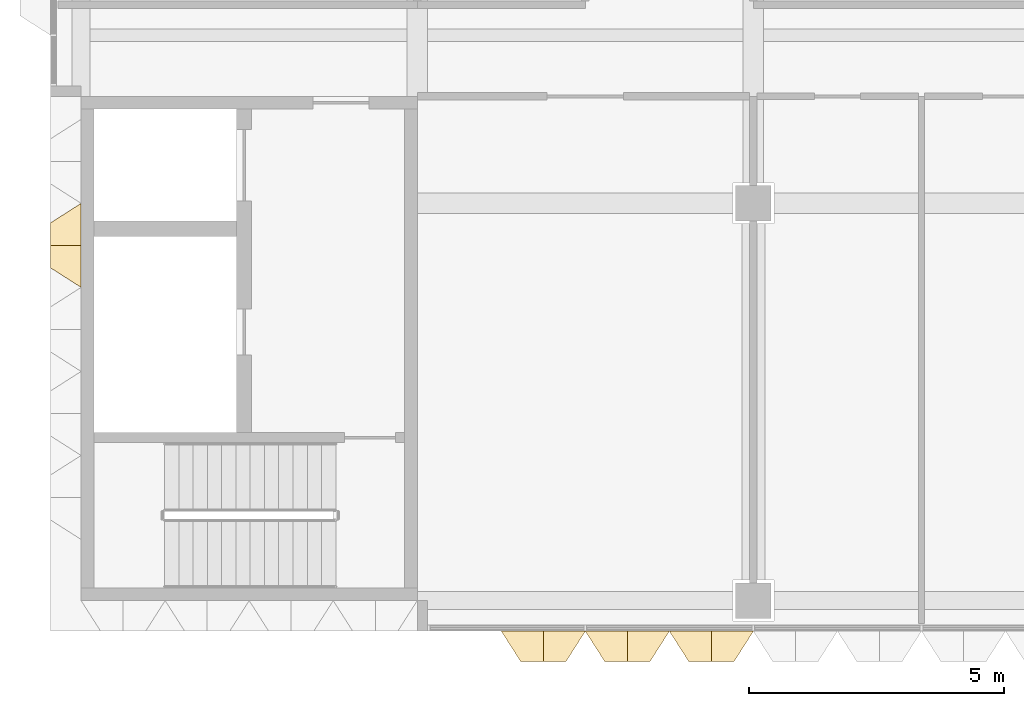
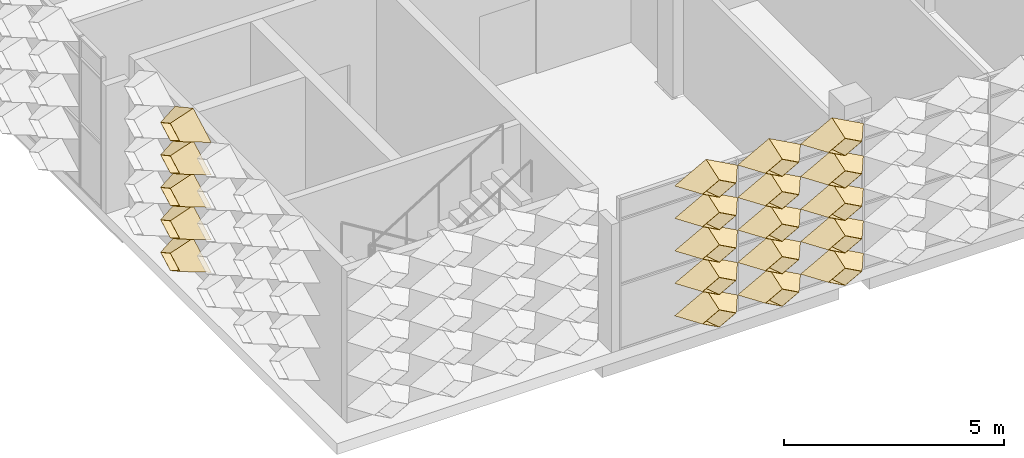
# One storey, part 14 of 29: 20 coverings.
"""IFC4 building model written with IfcOpenShell, lengths in metres."""

from ifc_helpers import new_model, entity, si_unit, direction, frame, origin, place, context, subcontext, project, spatial, material, layer, layer_set, type_object, element, save


model = new_model("IFC4")

# Units and contexts
model_context = context("Model", 3, precision=1e-05, world=origin(), true_north=direction((0.0, 1.0)))
body_context = subcontext(model_context, "Body", "Model", "MODEL_VIEW")
ifc_project = project(units=[si_unit("LENGTHUNIT", "METRE"), si_unit("AREAUNIT", "SQUARE_METRE"), si_unit("VOLUMEUNIT", "CUBIC_METRE"), si_unit("PLANEANGLEUNIT", "RADIAN"), si_unit("MASSUNIT", "GRAM", prefix="KILO")], contexts=[model_context])

# Site, building, storey
site_placement = place(None, origin())
site = spatial("IfcSite", under=ifc_project, at=site_placement, CompositionType="ELEMENT")
building_placement = place(site_placement, origin())
building = spatial("IfcBuilding", under=site, at=building_placement, Name="Lantern Court Research Institute", CompositionType="ELEMENT")
storey_placement = place(building_placement, frame((0.0, 0.0, 32.39990234375)))
storey = spatial("IfcBuildingStorey", under=building, at=storey_placement, Name="L07", CompositionType="ELEMENT", Elevation=32.39990234375)

# Coverings
ifc_material = material(Name="Anodised aluminium", Category="aluminium")
ifc_layer = layer(ifc_material, 0.01611328125)
ifc_layer_set = layer_set([ifc_layer], Name="Anodised aluminium")
covering_type = type_object("IfcCoveringType", Name="Fin cassette 1650 x 900 x 600 aluminium", PredefinedType="CLADDING", material=ifc_layer_set)
covering_1_placement = place(storey_placement, frame((61.875, -8.39990234375, 0.4501953125), z_axis=(0.0, -1.0, 0.0), x_axis=(1.0, 0.0, 0.0)))
cartesian_point_1 = entity("IfcCartesianPoint", [0.824951171875, 0.0])
cartesian_point_2 = entity("IfcCartesianPoint", [0.79150390625, 0.0])
cartesian_point_3 = entity("IfcCartesianPoint", [0.44189453125, 0.0])
cartesian_point_4 = entity("IfcCartesianPoint", [0.43359375, 0.0])
element("IfcCovering", 1, at=covering_1_placement, inside=storey, type_object=covering_type, Name="Fin cassette V5S-L07 1.38", PredefinedType="CLADDING", context=body_context, shape_type="SweptSolid", body=[
    entity("IfcExtrudedAreaSolidTapered", entity("IfcArbitraryProfileDefWithVoids", "AREA", None, entity("IfcPolyline", [cartesian_point_1, entity("IfcCartesianPoint", [0.0, 0.449951171875]), entity("IfcCartesianPoint", [-0.824951171875, 0.0]), entity("IfcCartesianPoint", [0.0, -0.449951171875]), cartesian_point_1]), [entity("IfcPolyline", [cartesian_point_2, entity("IfcCartesianPoint", [0.0, 0.431884765625]), entity("IfcCartesianPoint", [-0.79150390625, 0.0]), entity("IfcCartesianPoint", [0.0, -0.431884765625]), cartesian_point_2])]), entity("IfcAxis2Placement3D", entity("IfcCartesianPoint", [0.0, 0.0, 0.0])), entity("IfcDirection", [0.0, 0.0, 1.0]), 0.60009765625, entity("IfcArbitraryProfileDefWithVoids", "AREA", None, entity("IfcPolyline", [cartesian_point_3, entity("IfcCartesianPoint", [0.0, 0.240966796875]), entity("IfcCartesianPoint", [-0.44189453125, 0.0]), entity("IfcCartesianPoint", [0.0, -0.240966796875]), cartesian_point_3]), [entity("IfcPolyline", [cartesian_point_4, entity("IfcCartesianPoint", [0.0, 0.236572265625]), entity("IfcCartesianPoint", [-0.43359375, 0.0]), entity("IfcCartesianPoint", [0.0, -0.236572265625]), cartesian_point_4])])),
])
covering_2_placement = place(storey_placement, frame((63.52490234375, -8.39990234375, 0.4501953125), z_axis=(0.0, -1.0, 0.0), x_axis=(1.0, 0.0, 0.0)))
cartesian_point_5 = entity("IfcCartesianPoint", [0.824951171875, 0.0])
cartesian_point_6 = entity("IfcCartesianPoint", [0.79150390625, 0.0])
cartesian_point_7 = entity("IfcCartesianPoint", [0.44189453125, 0.0])
cartesian_point_8 = entity("IfcCartesianPoint", [0.43359375, 0.0])
element("IfcCovering", 2, at=covering_2_placement, inside=storey, type_object=covering_type, Name="Fin cassette V5S-L07 1.39", PredefinedType="CLADDING", context=body_context, shape_type="SweptSolid", body=[
    entity("IfcExtrudedAreaSolidTapered", entity("IfcArbitraryProfileDefWithVoids", "AREA", None, entity("IfcPolyline", [cartesian_point_5, entity("IfcCartesianPoint", [0.0, 0.449951171875]), entity("IfcCartesianPoint", [-0.824951171875, 0.0]), entity("IfcCartesianPoint", [0.0, -0.449951171875]), cartesian_point_5]), [entity("IfcPolyline", [cartesian_point_6, entity("IfcCartesianPoint", [0.0, 0.431884765625]), entity("IfcCartesianPoint", [-0.79150390625, 0.0]), entity("IfcCartesianPoint", [0.0, -0.431884765625]), cartesian_point_6])]), entity("IfcAxis2Placement3D", entity("IfcCartesianPoint", [0.0, 0.0, 0.0])), entity("IfcDirection", [0.0, 0.0, 1.0]), 0.60009765625, entity("IfcArbitraryProfileDefWithVoids", "AREA", None, entity("IfcPolyline", [cartesian_point_7, entity("IfcCartesianPoint", [0.0, 0.240966796875]), entity("IfcCartesianPoint", [-0.44189453125, 0.0]), entity("IfcCartesianPoint", [0.0, -0.240966796875]), cartesian_point_7]), [entity("IfcPolyline", [cartesian_point_8, entity("IfcCartesianPoint", [0.0, 0.236572265625]), entity("IfcCartesianPoint", [-0.43359375, 0.0]), entity("IfcCartesianPoint", [0.0, -0.236572265625]), cartesian_point_8])])),
])
covering_3_placement = place(storey_placement, frame((65.175048828125, -8.39990234375, 0.4501953125), z_axis=(0.0, -1.0, 0.0), x_axis=(1.0, 0.0, 0.0)))
cartesian_point_9 = entity("IfcCartesianPoint", [0.824951171875, 0.0])
cartesian_point_10 = entity("IfcCartesianPoint", [0.79150390625, 0.0])
cartesian_point_11 = entity("IfcCartesianPoint", [0.44189453125, 0.0])
cartesian_point_12 = entity("IfcCartesianPoint", [0.43359375, 0.0])
element("IfcCovering", 3, at=covering_3_placement, inside=storey, type_object=covering_type, Name="Fin cassette V5S-L07 1.40", PredefinedType="CLADDING", context=body_context, shape_type="SweptSolid", body=[
    entity("IfcExtrudedAreaSolidTapered", entity("IfcArbitraryProfileDefWithVoids", "AREA", None, entity("IfcPolyline", [cartesian_point_9, entity("IfcCartesianPoint", [0.0, 0.449951171875]), entity("IfcCartesianPoint", [-0.824951171875, 0.0]), entity("IfcCartesianPoint", [0.0, -0.449951171875]), cartesian_point_9]), [entity("IfcPolyline", [cartesian_point_10, entity("IfcCartesianPoint", [0.0, 0.431884765625]), entity("IfcCartesianPoint", [-0.79150390625, 0.0]), entity("IfcCartesianPoint", [0.0, -0.431884765625]), cartesian_point_10])]), entity("IfcAxis2Placement3D", entity("IfcCartesianPoint", [0.0, 0.0, 0.0])), entity("IfcDirection", [0.0, 0.0, 1.0]), 0.60009765625, entity("IfcArbitraryProfileDefWithVoids", "AREA", None, entity("IfcPolyline", [cartesian_point_11, entity("IfcCartesianPoint", [0.0, 0.240966796875]), entity("IfcCartesianPoint", [-0.44189453125, 0.0]), entity("IfcCartesianPoint", [0.0, -0.240966796875]), cartesian_point_11]), [entity("IfcPolyline", [cartesian_point_12, entity("IfcCartesianPoint", [0.0, 0.236572265625]), entity("IfcCartesianPoint", [-0.43359375, 0.0]), entity("IfcCartesianPoint", [0.0, -0.236572265625]), cartesian_point_12])])),
])
covering_4_placement = place(storey_placement, frame((61.875, -8.39990234375, 1.35009765625), z_axis=(0.0, -1.0, 0.0), x_axis=(1.0, 0.0, 0.0)))
cartesian_point_13 = entity("IfcCartesianPoint", [0.824951171875, 0.0])
cartesian_point_14 = entity("IfcCartesianPoint", [0.79150390625, 0.0])
cartesian_point_15 = entity("IfcCartesianPoint", [0.44189453125, 0.0])
cartesian_point_16 = entity("IfcCartesianPoint", [0.43359375, 0.0])
element("IfcCovering", 4, at=covering_4_placement, inside=storey, type_object=covering_type, Name="Fin cassette V5S-L07 2.38", PredefinedType="CLADDING", context=body_context, shape_type="SweptSolid", body=[
    entity("IfcExtrudedAreaSolidTapered", entity("IfcArbitraryProfileDefWithVoids", "AREA", None, entity("IfcPolyline", [cartesian_point_13, entity("IfcCartesianPoint", [0.0, 0.449951171875]), entity("IfcCartesianPoint", [-0.824951171875, 0.0]), entity("IfcCartesianPoint", [0.0, -0.449951171875]), cartesian_point_13]), [entity("IfcPolyline", [cartesian_point_14, entity("IfcCartesianPoint", [0.0, 0.431884765625]), entity("IfcCartesianPoint", [-0.79150390625, 0.0]), entity("IfcCartesianPoint", [0.0, -0.431884765625]), cartesian_point_14])]), entity("IfcAxis2Placement3D", entity("IfcCartesianPoint", [0.0, 0.0, 0.0])), entity("IfcDirection", [0.0, 0.0, 1.0]), 0.60009765625, entity("IfcArbitraryProfileDefWithVoids", "AREA", None, entity("IfcPolyline", [cartesian_point_15, entity("IfcCartesianPoint", [0.0, 0.240966796875]), entity("IfcCartesianPoint", [-0.44189453125, 0.0]), entity("IfcCartesianPoint", [0.0, -0.240966796875]), cartesian_point_15]), [entity("IfcPolyline", [cartesian_point_16, entity("IfcCartesianPoint", [0.0, 0.236572265625]), entity("IfcCartesianPoint", [-0.43359375, 0.0]), entity("IfcCartesianPoint", [0.0, -0.236572265625]), cartesian_point_16])])),
])
covering_5_placement = place(storey_placement, frame((63.52490234375, -8.39990234375, 1.35009765625), z_axis=(0.0, -1.0, 0.0), x_axis=(1.0, 0.0, 0.0)))
cartesian_point_17 = entity("IfcCartesianPoint", [0.824951171875, 0.0])
cartesian_point_18 = entity("IfcCartesianPoint", [0.79150390625, 0.0])
cartesian_point_19 = entity("IfcCartesianPoint", [0.44189453125, 0.0])
cartesian_point_20 = entity("IfcCartesianPoint", [0.43359375, 0.0])
element("IfcCovering", 5, at=covering_5_placement, inside=storey, type_object=covering_type, Name="Fin cassette V5S-L07 2.39", PredefinedType="CLADDING", context=body_context, shape_type="SweptSolid", body=[
    entity("IfcExtrudedAreaSolidTapered", entity("IfcArbitraryProfileDefWithVoids", "AREA", None, entity("IfcPolyline", [cartesian_point_17, entity("IfcCartesianPoint", [0.0, 0.449951171875]), entity("IfcCartesianPoint", [-0.824951171875, 0.0]), entity("IfcCartesianPoint", [0.0, -0.449951171875]), cartesian_point_17]), [entity("IfcPolyline", [cartesian_point_18, entity("IfcCartesianPoint", [0.0, 0.431884765625]), entity("IfcCartesianPoint", [-0.79150390625, 0.0]), entity("IfcCartesianPoint", [0.0, -0.431884765625]), cartesian_point_18])]), entity("IfcAxis2Placement3D", entity("IfcCartesianPoint", [0.0, 0.0, 0.0])), entity("IfcDirection", [0.0, 0.0, 1.0]), 0.60009765625, entity("IfcArbitraryProfileDefWithVoids", "AREA", None, entity("IfcPolyline", [cartesian_point_19, entity("IfcCartesianPoint", [0.0, 0.240966796875]), entity("IfcCartesianPoint", [-0.44189453125, 0.0]), entity("IfcCartesianPoint", [0.0, -0.240966796875]), cartesian_point_19]), [entity("IfcPolyline", [cartesian_point_20, entity("IfcCartesianPoint", [0.0, 0.236572265625]), entity("IfcCartesianPoint", [-0.43359375, 0.0]), entity("IfcCartesianPoint", [0.0, -0.236572265625]), cartesian_point_20])])),
])
covering_6_placement = place(storey_placement, frame((65.175048828125, -8.39990234375, 1.35009765625), z_axis=(0.0, -1.0, 0.0), x_axis=(1.0, 0.0, 0.0)))
cartesian_point_21 = entity("IfcCartesianPoint", [0.824951171875, 0.0])
cartesian_point_22 = entity("IfcCartesianPoint", [0.79150390625, 0.0])
cartesian_point_23 = entity("IfcCartesianPoint", [0.44189453125, 0.0])
cartesian_point_24 = entity("IfcCartesianPoint", [0.43359375, 0.0])
element("IfcCovering", 6, at=covering_6_placement, inside=storey, type_object=covering_type, Name="Fin cassette V5S-L07 2.40", PredefinedType="CLADDING", context=body_context, shape_type="SweptSolid", body=[
    entity("IfcExtrudedAreaSolidTapered", entity("IfcArbitraryProfileDefWithVoids", "AREA", None, entity("IfcPolyline", [cartesian_point_21, entity("IfcCartesianPoint", [0.0, 0.449951171875]), entity("IfcCartesianPoint", [-0.824951171875, 0.0]), entity("IfcCartesianPoint", [0.0, -0.449951171875]), cartesian_point_21]), [entity("IfcPolyline", [cartesian_point_22, entity("IfcCartesianPoint", [0.0, 0.431884765625]), entity("IfcCartesianPoint", [-0.79150390625, 0.0]), entity("IfcCartesianPoint", [0.0, -0.431884765625]), cartesian_point_22])]), entity("IfcAxis2Placement3D", entity("IfcCartesianPoint", [0.0, 0.0, 0.0])), entity("IfcDirection", [0.0, 0.0, 1.0]), 0.60009765625, entity("IfcArbitraryProfileDefWithVoids", "AREA", None, entity("IfcPolyline", [cartesian_point_23, entity("IfcCartesianPoint", [0.0, 0.240966796875]), entity("IfcCartesianPoint", [-0.44189453125, 0.0]), entity("IfcCartesianPoint", [0.0, -0.240966796875]), cartesian_point_23]), [entity("IfcPolyline", [cartesian_point_24, entity("IfcCartesianPoint", [0.0, 0.236572265625]), entity("IfcCartesianPoint", [-0.43359375, 0.0]), entity("IfcCartesianPoint", [0.0, -0.236572265625]), cartesian_point_24])])),
])
covering_7_placement = place(storey_placement, frame((61.875, -8.39990234375, 2.25), z_axis=(0.0, -1.0, 0.0), x_axis=(1.0, 0.0, 0.0)))
cartesian_point_25 = entity("IfcCartesianPoint", [0.824951171875, 0.0])
cartesian_point_26 = entity("IfcCartesianPoint", [0.79150390625, 0.0])
cartesian_point_27 = entity("IfcCartesianPoint", [0.44189453125, 0.0])
cartesian_point_28 = entity("IfcCartesianPoint", [0.43359375, 0.0])
element("IfcCovering", 7, at=covering_7_placement, inside=storey, type_object=covering_type, Name="Fin cassette V5S-L07 3.38", PredefinedType="CLADDING", context=body_context, shape_type="SweptSolid", body=[
    entity("IfcExtrudedAreaSolidTapered", entity("IfcArbitraryProfileDefWithVoids", "AREA", None, entity("IfcPolyline", [cartesian_point_25, entity("IfcCartesianPoint", [0.0, 0.449951171875]), entity("IfcCartesianPoint", [-0.824951171875, 0.0]), entity("IfcCartesianPoint", [0.0, -0.449951171875]), cartesian_point_25]), [entity("IfcPolyline", [cartesian_point_26, entity("IfcCartesianPoint", [0.0, 0.431884765625]), entity("IfcCartesianPoint", [-0.79150390625, 0.0]), entity("IfcCartesianPoint", [0.0, -0.431884765625]), cartesian_point_26])]), entity("IfcAxis2Placement3D", entity("IfcCartesianPoint", [0.0, 0.0, 0.0])), entity("IfcDirection", [0.0, 0.0, 1.0]), 0.60009765625, entity("IfcArbitraryProfileDefWithVoids", "AREA", None, entity("IfcPolyline", [cartesian_point_27, entity("IfcCartesianPoint", [0.0, 0.240966796875]), entity("IfcCartesianPoint", [-0.44189453125, 0.0]), entity("IfcCartesianPoint", [0.0, -0.240966796875]), cartesian_point_27]), [entity("IfcPolyline", [cartesian_point_28, entity("IfcCartesianPoint", [0.0, 0.236572265625]), entity("IfcCartesianPoint", [-0.43359375, 0.0]), entity("IfcCartesianPoint", [0.0, -0.236572265625]), cartesian_point_28])])),
])
covering_8_placement = place(storey_placement, frame((63.52490234375, -8.39990234375, 2.25), z_axis=(0.0, -1.0, 0.0), x_axis=(1.0, 0.0, 0.0)))
cartesian_point_29 = entity("IfcCartesianPoint", [0.824951171875, 0.0])
cartesian_point_30 = entity("IfcCartesianPoint", [0.79150390625, 0.0])
cartesian_point_31 = entity("IfcCartesianPoint", [0.44189453125, 0.0])
cartesian_point_32 = entity("IfcCartesianPoint", [0.43359375, 0.0])
element("IfcCovering", 8, at=covering_8_placement, inside=storey, type_object=covering_type, Name="Fin cassette V5S-L07 3.39", PredefinedType="CLADDING", context=body_context, shape_type="SweptSolid", body=[
    entity("IfcExtrudedAreaSolidTapered", entity("IfcArbitraryProfileDefWithVoids", "AREA", None, entity("IfcPolyline", [cartesian_point_29, entity("IfcCartesianPoint", [0.0, 0.449951171875]), entity("IfcCartesianPoint", [-0.824951171875, 0.0]), entity("IfcCartesianPoint", [0.0, -0.449951171875]), cartesian_point_29]), [entity("IfcPolyline", [cartesian_point_30, entity("IfcCartesianPoint", [0.0, 0.431884765625]), entity("IfcCartesianPoint", [-0.79150390625, 0.0]), entity("IfcCartesianPoint", [0.0, -0.431884765625]), cartesian_point_30])]), entity("IfcAxis2Placement3D", entity("IfcCartesianPoint", [0.0, 0.0, 0.0])), entity("IfcDirection", [0.0, 0.0, 1.0]), 0.60009765625, entity("IfcArbitraryProfileDefWithVoids", "AREA", None, entity("IfcPolyline", [cartesian_point_31, entity("IfcCartesianPoint", [0.0, 0.240966796875]), entity("IfcCartesianPoint", [-0.44189453125, 0.0]), entity("IfcCartesianPoint", [0.0, -0.240966796875]), cartesian_point_31]), [entity("IfcPolyline", [cartesian_point_32, entity("IfcCartesianPoint", [0.0, 0.236572265625]), entity("IfcCartesianPoint", [-0.43359375, 0.0]), entity("IfcCartesianPoint", [0.0, -0.236572265625]), cartesian_point_32])])),
])
covering_9_placement = place(storey_placement, frame((65.175048828125, -8.39990234375, 2.25), z_axis=(0.0, -1.0, 0.0), x_axis=(1.0, 0.0, 0.0)))
cartesian_point_33 = entity("IfcCartesianPoint", [0.824951171875, 0.0])
cartesian_point_34 = entity("IfcCartesianPoint", [0.79150390625, 0.0])
cartesian_point_35 = entity("IfcCartesianPoint", [0.44189453125, 0.0])
cartesian_point_36 = entity("IfcCartesianPoint", [0.43359375, 0.0])
element("IfcCovering", 9, at=covering_9_placement, inside=storey, type_object=covering_type, Name="Fin cassette V5S-L07 3.40", PredefinedType="CLADDING", context=body_context, shape_type="SweptSolid", body=[
    entity("IfcExtrudedAreaSolidTapered", entity("IfcArbitraryProfileDefWithVoids", "AREA", None, entity("IfcPolyline", [cartesian_point_33, entity("IfcCartesianPoint", [0.0, 0.449951171875]), entity("IfcCartesianPoint", [-0.824951171875, 0.0]), entity("IfcCartesianPoint", [0.0, -0.449951171875]), cartesian_point_33]), [entity("IfcPolyline", [cartesian_point_34, entity("IfcCartesianPoint", [0.0, 0.431884765625]), entity("IfcCartesianPoint", [-0.79150390625, 0.0]), entity("IfcCartesianPoint", [0.0, -0.431884765625]), cartesian_point_34])]), entity("IfcAxis2Placement3D", entity("IfcCartesianPoint", [0.0, 0.0, 0.0])), entity("IfcDirection", [0.0, 0.0, 1.0]), 0.60009765625, entity("IfcArbitraryProfileDefWithVoids", "AREA", None, entity("IfcPolyline", [cartesian_point_35, entity("IfcCartesianPoint", [0.0, 0.240966796875]), entity("IfcCartesianPoint", [-0.44189453125, 0.0]), entity("IfcCartesianPoint", [0.0, -0.240966796875]), cartesian_point_35]), [entity("IfcPolyline", [cartesian_point_36, entity("IfcCartesianPoint", [0.0, 0.236572265625]), entity("IfcCartesianPoint", [-0.43359375, 0.0]), entity("IfcCartesianPoint", [0.0, -0.236572265625]), cartesian_point_36])])),
])
covering_10_placement = place(storey_placement, frame((61.875, -8.39990234375, 3.150146484375), z_axis=(0.0, -1.0, 0.0), x_axis=(1.0, 0.0, 0.0)))
cartesian_point_37 = entity("IfcCartesianPoint", [0.824951171875, 0.0])
cartesian_point_38 = entity("IfcCartesianPoint", [0.79150390625, 0.0])
cartesian_point_39 = entity("IfcCartesianPoint", [0.44189453125, 0.0])
cartesian_point_40 = entity("IfcCartesianPoint", [0.43359375, 0.0])
element("IfcCovering", 10, at=covering_10_placement, inside=storey, type_object=covering_type, Name="Fin cassette V5S-L07 4.38", PredefinedType="CLADDING", context=body_context, shape_type="SweptSolid", body=[
    entity("IfcExtrudedAreaSolidTapered", entity("IfcArbitraryProfileDefWithVoids", "AREA", None, entity("IfcPolyline", [cartesian_point_37, entity("IfcCartesianPoint", [0.0, 0.449951171875]), entity("IfcCartesianPoint", [-0.824951171875, 0.0]), entity("IfcCartesianPoint", [0.0, -0.449951171875]), cartesian_point_37]), [entity("IfcPolyline", [cartesian_point_38, entity("IfcCartesianPoint", [0.0, 0.431884765625]), entity("IfcCartesianPoint", [-0.79150390625, 0.0]), entity("IfcCartesianPoint", [0.0, -0.431884765625]), cartesian_point_38])]), entity("IfcAxis2Placement3D", entity("IfcCartesianPoint", [0.0, 0.0, 0.0])), entity("IfcDirection", [0.0, 0.0, 1.0]), 0.60009765625, entity("IfcArbitraryProfileDefWithVoids", "AREA", None, entity("IfcPolyline", [cartesian_point_39, entity("IfcCartesianPoint", [0.0, 0.240966796875]), entity("IfcCartesianPoint", [-0.44189453125, 0.0]), entity("IfcCartesianPoint", [0.0, -0.240966796875]), cartesian_point_39]), [entity("IfcPolyline", [cartesian_point_40, entity("IfcCartesianPoint", [0.0, 0.236572265625]), entity("IfcCartesianPoint", [-0.43359375, 0.0]), entity("IfcCartesianPoint", [0.0, -0.236572265625]), cartesian_point_40])])),
])
covering_11_placement = place(storey_placement, frame((63.52490234375, -8.39990234375, 3.150146484375), z_axis=(0.0, -1.0, 0.0), x_axis=(1.0, 0.0, 0.0)))
cartesian_point_41 = entity("IfcCartesianPoint", [0.824951171875, 0.0])
cartesian_point_42 = entity("IfcCartesianPoint", [0.79150390625, 0.0])
cartesian_point_43 = entity("IfcCartesianPoint", [0.44189453125, 0.0])
cartesian_point_44 = entity("IfcCartesianPoint", [0.43359375, 0.0])
element("IfcCovering", 11, at=covering_11_placement, inside=storey, type_object=covering_type, Name="Fin cassette V5S-L07 4.39", PredefinedType="CLADDING", context=body_context, shape_type="SweptSolid", body=[
    entity("IfcExtrudedAreaSolidTapered", entity("IfcArbitraryProfileDefWithVoids", "AREA", None, entity("IfcPolyline", [cartesian_point_41, entity("IfcCartesianPoint", [0.0, 0.449951171875]), entity("IfcCartesianPoint", [-0.824951171875, 0.0]), entity("IfcCartesianPoint", [0.0, -0.449951171875]), cartesian_point_41]), [entity("IfcPolyline", [cartesian_point_42, entity("IfcCartesianPoint", [0.0, 0.431884765625]), entity("IfcCartesianPoint", [-0.79150390625, 0.0]), entity("IfcCartesianPoint", [0.0, -0.431884765625]), cartesian_point_42])]), entity("IfcAxis2Placement3D", entity("IfcCartesianPoint", [0.0, 0.0, 0.0])), entity("IfcDirection", [0.0, 0.0, 1.0]), 0.60009765625, entity("IfcArbitraryProfileDefWithVoids", "AREA", None, entity("IfcPolyline", [cartesian_point_43, entity("IfcCartesianPoint", [0.0, 0.240966796875]), entity("IfcCartesianPoint", [-0.44189453125, 0.0]), entity("IfcCartesianPoint", [0.0, -0.240966796875]), cartesian_point_43]), [entity("IfcPolyline", [cartesian_point_44, entity("IfcCartesianPoint", [0.0, 0.236572265625]), entity("IfcCartesianPoint", [-0.43359375, 0.0]), entity("IfcCartesianPoint", [0.0, -0.236572265625]), cartesian_point_44])])),
])
covering_12_placement = place(storey_placement, frame((65.175048828125, -8.39990234375, 3.150146484375), z_axis=(0.0, -1.0, 0.0), x_axis=(1.0, 0.0, 0.0)))
cartesian_point_45 = entity("IfcCartesianPoint", [0.824951171875, 0.0])
cartesian_point_46 = entity("IfcCartesianPoint", [0.79150390625, 0.0])
cartesian_point_47 = entity("IfcCartesianPoint", [0.44189453125, 0.0])
cartesian_point_48 = entity("IfcCartesianPoint", [0.43359375, 0.0])
element("IfcCovering", 12, at=covering_12_placement, inside=storey, type_object=covering_type, Name="Fin cassette V5S-L07 4.40", PredefinedType="CLADDING", context=body_context, shape_type="SweptSolid", body=[
    entity("IfcExtrudedAreaSolidTapered", entity("IfcArbitraryProfileDefWithVoids", "AREA", None, entity("IfcPolyline", [cartesian_point_45, entity("IfcCartesianPoint", [0.0, 0.449951171875]), entity("IfcCartesianPoint", [-0.824951171875, 0.0]), entity("IfcCartesianPoint", [0.0, -0.449951171875]), cartesian_point_45]), [entity("IfcPolyline", [cartesian_point_46, entity("IfcCartesianPoint", [0.0, 0.431884765625]), entity("IfcCartesianPoint", [-0.79150390625, 0.0]), entity("IfcCartesianPoint", [0.0, -0.431884765625]), cartesian_point_46])]), entity("IfcAxis2Placement3D", entity("IfcCartesianPoint", [0.0, 0.0, 0.0])), entity("IfcDirection", [0.0, 0.0, 1.0]), 0.60009765625, entity("IfcArbitraryProfileDefWithVoids", "AREA", None, entity("IfcPolyline", [cartesian_point_47, entity("IfcCartesianPoint", [0.0, 0.240966796875]), entity("IfcCartesianPoint", [-0.44189453125, 0.0]), entity("IfcCartesianPoint", [0.0, -0.240966796875]), cartesian_point_47]), [entity("IfcPolyline", [cartesian_point_48, entity("IfcCartesianPoint", [0.0, 0.236572265625]), entity("IfcCartesianPoint", [-0.43359375, 0.0]), entity("IfcCartesianPoint", [0.0, -0.236572265625]), cartesian_point_48])])),
])
covering_13_placement = place(storey_placement, frame((61.875, -8.39990234375, 4.050048828125), z_axis=(0.0, -1.0, 0.0), x_axis=(1.0, 0.0, 0.0)))
cartesian_point_49 = entity("IfcCartesianPoint", [0.824951171875, 0.0])
cartesian_point_50 = entity("IfcCartesianPoint", [0.79150390625, 0.0])
cartesian_point_51 = entity("IfcCartesianPoint", [0.44189453125, 0.0])
cartesian_point_52 = entity("IfcCartesianPoint", [0.43359375, 0.0])
element("IfcCovering", 13, at=covering_13_placement, inside=storey, type_object=covering_type, Name="Fin cassette V5S-L07 5.38", PredefinedType="CLADDING", context=body_context, shape_type="SweptSolid", body=[
    entity("IfcExtrudedAreaSolidTapered", entity("IfcArbitraryProfileDefWithVoids", "AREA", None, entity("IfcPolyline", [cartesian_point_49, entity("IfcCartesianPoint", [0.0, 0.449951171875]), entity("IfcCartesianPoint", [-0.824951171875, 0.0]), entity("IfcCartesianPoint", [0.0, -0.449951171875]), cartesian_point_49]), [entity("IfcPolyline", [cartesian_point_50, entity("IfcCartesianPoint", [0.0, 0.431884765625]), entity("IfcCartesianPoint", [-0.79150390625, 0.0]), entity("IfcCartesianPoint", [0.0, -0.431884765625]), cartesian_point_50])]), entity("IfcAxis2Placement3D", entity("IfcCartesianPoint", [0.0, 0.0, 0.0])), entity("IfcDirection", [0.0, 0.0, 1.0]), 0.60009765625, entity("IfcArbitraryProfileDefWithVoids", "AREA", None, entity("IfcPolyline", [cartesian_point_51, entity("IfcCartesianPoint", [0.0, 0.240966796875]), entity("IfcCartesianPoint", [-0.44189453125, 0.0]), entity("IfcCartesianPoint", [0.0, -0.240966796875]), cartesian_point_51]), [entity("IfcPolyline", [cartesian_point_52, entity("IfcCartesianPoint", [0.0, 0.236572265625]), entity("IfcCartesianPoint", [-0.43359375, 0.0]), entity("IfcCartesianPoint", [0.0, -0.236572265625]), cartesian_point_52])])),
])
covering_14_placement = place(storey_placement, frame((63.52490234375, -8.39990234375, 4.050048828125), z_axis=(0.0, -1.0, 0.0), x_axis=(1.0, 0.0, 0.0)))
cartesian_point_53 = entity("IfcCartesianPoint", [0.824951171875, 0.0])
cartesian_point_54 = entity("IfcCartesianPoint", [0.79150390625, 0.0])
cartesian_point_55 = entity("IfcCartesianPoint", [0.44189453125, 0.0])
cartesian_point_56 = entity("IfcCartesianPoint", [0.43359375, 0.0])
element("IfcCovering", 14, at=covering_14_placement, inside=storey, type_object=covering_type, Name="Fin cassette V5S-L07 5.39", PredefinedType="CLADDING", context=body_context, shape_type="SweptSolid", body=[
    entity("IfcExtrudedAreaSolidTapered", entity("IfcArbitraryProfileDefWithVoids", "AREA", None, entity("IfcPolyline", [cartesian_point_53, entity("IfcCartesianPoint", [0.0, 0.449951171875]), entity("IfcCartesianPoint", [-0.824951171875, 0.0]), entity("IfcCartesianPoint", [0.0, -0.449951171875]), cartesian_point_53]), [entity("IfcPolyline", [cartesian_point_54, entity("IfcCartesianPoint", [0.0, 0.431884765625]), entity("IfcCartesianPoint", [-0.79150390625, 0.0]), entity("IfcCartesianPoint", [0.0, -0.431884765625]), cartesian_point_54])]), entity("IfcAxis2Placement3D", entity("IfcCartesianPoint", [0.0, 0.0, 0.0])), entity("IfcDirection", [0.0, 0.0, 1.0]), 0.60009765625, entity("IfcArbitraryProfileDefWithVoids", "AREA", None, entity("IfcPolyline", [cartesian_point_55, entity("IfcCartesianPoint", [0.0, 0.240966796875]), entity("IfcCartesianPoint", [-0.44189453125, 0.0]), entity("IfcCartesianPoint", [0.0, -0.240966796875]), cartesian_point_55]), [entity("IfcPolyline", [cartesian_point_56, entity("IfcCartesianPoint", [0.0, 0.236572265625]), entity("IfcCartesianPoint", [-0.43359375, 0.0]), entity("IfcCartesianPoint", [0.0, -0.236572265625]), cartesian_point_56])])),
])
covering_15_placement = place(storey_placement, frame((65.175048828125, -8.39990234375, 4.050048828125), z_axis=(0.0, -1.0, 0.0), x_axis=(1.0, 0.0, 0.0)))
cartesian_point_57 = entity("IfcCartesianPoint", [0.824951171875, 0.0])
cartesian_point_58 = entity("IfcCartesianPoint", [0.79150390625, 0.0])
cartesian_point_59 = entity("IfcCartesianPoint", [0.44189453125, 0.0])
cartesian_point_60 = entity("IfcCartesianPoint", [0.43359375, 0.0])
element("IfcCovering", 15, at=covering_15_placement, inside=storey, type_object=covering_type, Name="Fin cassette V5S-L07 5.40", PredefinedType="CLADDING", context=body_context, shape_type="SweptSolid", body=[
    entity("IfcExtrudedAreaSolidTapered", entity("IfcArbitraryProfileDefWithVoids", "AREA", None, entity("IfcPolyline", [cartesian_point_57, entity("IfcCartesianPoint", [0.0, 0.449951171875]), entity("IfcCartesianPoint", [-0.824951171875, 0.0]), entity("IfcCartesianPoint", [0.0, -0.449951171875]), cartesian_point_57]), [entity("IfcPolyline", [cartesian_point_58, entity("IfcCartesianPoint", [0.0, 0.431884765625]), entity("IfcCartesianPoint", [-0.79150390625, 0.0]), entity("IfcCartesianPoint", [0.0, -0.431884765625]), cartesian_point_58])]), entity("IfcAxis2Placement3D", entity("IfcCartesianPoint", [0.0, 0.0, 0.0])), entity("IfcDirection", [0.0, 0.0, 1.0]), 0.60009765625, entity("IfcArbitraryProfileDefWithVoids", "AREA", None, entity("IfcPolyline", [cartesian_point_59, entity("IfcCartesianPoint", [0.0, 0.240966796875]), entity("IfcCartesianPoint", [-0.44189453125, 0.0]), entity("IfcCartesianPoint", [0.0, -0.240966796875]), cartesian_point_59]), [entity("IfcPolyline", [cartesian_point_60, entity("IfcCartesianPoint", [0.0, 0.236572265625]), entity("IfcCartesianPoint", [-0.43359375, 0.0]), entity("IfcCartesianPoint", [0.0, -0.236572265625]), cartesian_point_60])])),
])
covering_16_placement = place(storey_placement, frame((52.800048828125, -0.824951171875, 0.4501953125), z_axis=(-1.0, 0.0, 0.0), x_axis=(0.0, -1.0, 0.0)))
cartesian_point_61 = entity("IfcCartesianPoint", [0.824951171875, 0.0])
cartesian_point_62 = entity("IfcCartesianPoint", [0.79150390625, 0.0])
cartesian_point_63 = entity("IfcCartesianPoint", [0.44189453125, 0.0])
cartesian_point_64 = entity("IfcCartesianPoint", [0.43359375, 0.0])
element("IfcCovering", 16, at=covering_16_placement, inside=storey, type_object=covering_type, Name="Fin cassette V5W-L07 1.0", PredefinedType="CLADDING", context=body_context, shape_type="SweptSolid", body=[
    entity("IfcExtrudedAreaSolidTapered", entity("IfcArbitraryProfileDefWithVoids", "AREA", None, entity("IfcPolyline", [cartesian_point_61, entity("IfcCartesianPoint", [0.0, 0.449951171875]), entity("IfcCartesianPoint", [-0.824951171875, 0.0]), entity("IfcCartesianPoint", [0.0, -0.449951171875]), cartesian_point_61]), [entity("IfcPolyline", [cartesian_point_62, entity("IfcCartesianPoint", [0.0, 0.431884765625]), entity("IfcCartesianPoint", [-0.79150390625, 0.0]), entity("IfcCartesianPoint", [0.0, -0.431884765625]), cartesian_point_62])]), entity("IfcAxis2Placement3D", entity("IfcCartesianPoint", [0.0, 0.0, 0.0])), entity("IfcDirection", [0.0, 0.0, 1.0]), 0.60009765625, entity("IfcArbitraryProfileDefWithVoids", "AREA", None, entity("IfcPolyline", [cartesian_point_63, entity("IfcCartesianPoint", [0.0, 0.240966796875]), entity("IfcCartesianPoint", [-0.44189453125, 0.0]), entity("IfcCartesianPoint", [0.0, -0.240966796875]), cartesian_point_63]), [entity("IfcPolyline", [cartesian_point_64, entity("IfcCartesianPoint", [0.0, 0.236572265625]), entity("IfcCartesianPoint", [-0.43359375, 0.0]), entity("IfcCartesianPoint", [0.0, -0.236572265625]), cartesian_point_64])])),
])
covering_17_placement = place(storey_placement, frame((52.800048828125, -0.824951171875, 1.35009765625), z_axis=(-1.0, 0.0, 0.0), x_axis=(0.0, -1.0, 0.0)))
cartesian_point_65 = entity("IfcCartesianPoint", [0.824951171875, 0.0])
cartesian_point_66 = entity("IfcCartesianPoint", [0.79150390625, 0.0])
cartesian_point_67 = entity("IfcCartesianPoint", [0.44189453125, 0.0])
cartesian_point_68 = entity("IfcCartesianPoint", [0.43359375, 0.0])
element("IfcCovering", 17, at=covering_17_placement, inside=storey, type_object=covering_type, Name="Fin cassette V5W-L07 2.0", PredefinedType="CLADDING", context=body_context, shape_type="SweptSolid", body=[
    entity("IfcExtrudedAreaSolidTapered", entity("IfcArbitraryProfileDefWithVoids", "AREA", None, entity("IfcPolyline", [cartesian_point_65, entity("IfcCartesianPoint", [0.0, 0.449951171875]), entity("IfcCartesianPoint", [-0.824951171875, 0.0]), entity("IfcCartesianPoint", [0.0, -0.449951171875]), cartesian_point_65]), [entity("IfcPolyline", [cartesian_point_66, entity("IfcCartesianPoint", [0.0, 0.431884765625]), entity("IfcCartesianPoint", [-0.79150390625, 0.0]), entity("IfcCartesianPoint", [0.0, -0.431884765625]), cartesian_point_66])]), entity("IfcAxis2Placement3D", entity("IfcCartesianPoint", [0.0, 0.0, 0.0])), entity("IfcDirection", [0.0, 0.0, 1.0]), 0.60009765625, entity("IfcArbitraryProfileDefWithVoids", "AREA", None, entity("IfcPolyline", [cartesian_point_67, entity("IfcCartesianPoint", [0.0, 0.240966796875]), entity("IfcCartesianPoint", [-0.44189453125, 0.0]), entity("IfcCartesianPoint", [0.0, -0.240966796875]), cartesian_point_67]), [entity("IfcPolyline", [cartesian_point_68, entity("IfcCartesianPoint", [0.0, 0.236572265625]), entity("IfcCartesianPoint", [-0.43359375, 0.0]), entity("IfcCartesianPoint", [0.0, -0.236572265625]), cartesian_point_68])])),
])
covering_18_placement = place(storey_placement, frame((52.800048828125, -0.824951171875, 2.25), z_axis=(-1.0, 0.0, 0.0), x_axis=(0.0, -1.0, 0.0)))
cartesian_point_69 = entity("IfcCartesianPoint", [0.824951171875, 0.0])
cartesian_point_70 = entity("IfcCartesianPoint", [0.79150390625, 0.0])
cartesian_point_71 = entity("IfcCartesianPoint", [0.44189453125, 0.0])
cartesian_point_72 = entity("IfcCartesianPoint", [0.43359375, 0.0])
element("IfcCovering", 18, at=covering_18_placement, inside=storey, type_object=covering_type, Name="Fin cassette V5W-L07 3.0", PredefinedType="CLADDING", context=body_context, shape_type="SweptSolid", body=[
    entity("IfcExtrudedAreaSolidTapered", entity("IfcArbitraryProfileDefWithVoids", "AREA", None, entity("IfcPolyline", [cartesian_point_69, entity("IfcCartesianPoint", [0.0, 0.449951171875]), entity("IfcCartesianPoint", [-0.824951171875, 0.0]), entity("IfcCartesianPoint", [0.0, -0.449951171875]), cartesian_point_69]), [entity("IfcPolyline", [cartesian_point_70, entity("IfcCartesianPoint", [0.0, 0.431884765625]), entity("IfcCartesianPoint", [-0.79150390625, 0.0]), entity("IfcCartesianPoint", [0.0, -0.431884765625]), cartesian_point_70])]), entity("IfcAxis2Placement3D", entity("IfcCartesianPoint", [0.0, 0.0, 0.0])), entity("IfcDirection", [0.0, 0.0, 1.0]), 0.60009765625, entity("IfcArbitraryProfileDefWithVoids", "AREA", None, entity("IfcPolyline", [cartesian_point_71, entity("IfcCartesianPoint", [0.0, 0.240966796875]), entity("IfcCartesianPoint", [-0.44189453125, 0.0]), entity("IfcCartesianPoint", [0.0, -0.240966796875]), cartesian_point_71]), [entity("IfcPolyline", [cartesian_point_72, entity("IfcCartesianPoint", [0.0, 0.236572265625]), entity("IfcCartesianPoint", [-0.43359375, 0.0]), entity("IfcCartesianPoint", [0.0, -0.236572265625]), cartesian_point_72])])),
])
covering_19_placement = place(storey_placement, frame((52.800048828125, -0.824951171875, 3.150146484375), z_axis=(-1.0, 0.0, 0.0), x_axis=(0.0, -1.0, 0.0)))
cartesian_point_73 = entity("IfcCartesianPoint", [0.824951171875, 0.0])
cartesian_point_74 = entity("IfcCartesianPoint", [0.79150390625, 0.0])
cartesian_point_75 = entity("IfcCartesianPoint", [0.44189453125, 0.0])
cartesian_point_76 = entity("IfcCartesianPoint", [0.43359375, 0.0])
element("IfcCovering", 19, at=covering_19_placement, inside=storey, type_object=covering_type, Name="Fin cassette V5W-L07 4.0", PredefinedType="CLADDING", context=body_context, shape_type="SweptSolid", body=[
    entity("IfcExtrudedAreaSolidTapered", entity("IfcArbitraryProfileDefWithVoids", "AREA", None, entity("IfcPolyline", [cartesian_point_73, entity("IfcCartesianPoint", [0.0, 0.449951171875]), entity("IfcCartesianPoint", [-0.824951171875, 0.0]), entity("IfcCartesianPoint", [0.0, -0.449951171875]), cartesian_point_73]), [entity("IfcPolyline", [cartesian_point_74, entity("IfcCartesianPoint", [0.0, 0.431884765625]), entity("IfcCartesianPoint", [-0.79150390625, 0.0]), entity("IfcCartesianPoint", [0.0, -0.431884765625]), cartesian_point_74])]), entity("IfcAxis2Placement3D", entity("IfcCartesianPoint", [0.0, 0.0, 0.0])), entity("IfcDirection", [0.0, 0.0, 1.0]), 0.60009765625, entity("IfcArbitraryProfileDefWithVoids", "AREA", None, entity("IfcPolyline", [cartesian_point_75, entity("IfcCartesianPoint", [0.0, 0.240966796875]), entity("IfcCartesianPoint", [-0.44189453125, 0.0]), entity("IfcCartesianPoint", [0.0, -0.240966796875]), cartesian_point_75]), [entity("IfcPolyline", [cartesian_point_76, entity("IfcCartesianPoint", [0.0, 0.236572265625]), entity("IfcCartesianPoint", [-0.43359375, 0.0]), entity("IfcCartesianPoint", [0.0, -0.236572265625]), cartesian_point_76])])),
])
covering_20_placement = place(storey_placement, frame((52.800048828125, -0.824951171875, 4.050048828125), z_axis=(-1.0, 0.0, 0.0), x_axis=(0.0, -1.0, 0.0)))
cartesian_point_77 = entity("IfcCartesianPoint", [0.824951171875, 0.0])
cartesian_point_78 = entity("IfcCartesianPoint", [0.79150390625, 0.0])
cartesian_point_79 = entity("IfcCartesianPoint", [0.44189453125, 0.0])
cartesian_point_80 = entity("IfcCartesianPoint", [0.43359375, 0.0])
element("IfcCovering", 20, at=covering_20_placement, inside=storey, type_object=covering_type, Name="Fin cassette V5W-L07 5.0", PredefinedType="CLADDING", context=body_context, shape_type="SweptSolid", body=[
    entity("IfcExtrudedAreaSolidTapered", entity("IfcArbitraryProfileDefWithVoids", "AREA", None, entity("IfcPolyline", [cartesian_point_77, entity("IfcCartesianPoint", [0.0, 0.449951171875]), entity("IfcCartesianPoint", [-0.824951171875, 0.0]), entity("IfcCartesianPoint", [0.0, -0.449951171875]), cartesian_point_77]), [entity("IfcPolyline", [cartesian_point_78, entity("IfcCartesianPoint", [0.0, 0.431884765625]), entity("IfcCartesianPoint", [-0.79150390625, 0.0]), entity("IfcCartesianPoint", [0.0, -0.431884765625]), cartesian_point_78])]), entity("IfcAxis2Placement3D", entity("IfcCartesianPoint", [0.0, 0.0, 0.0])), entity("IfcDirection", [0.0, 0.0, 1.0]), 0.60009765625, entity("IfcArbitraryProfileDefWithVoids", "AREA", None, entity("IfcPolyline", [cartesian_point_79, entity("IfcCartesianPoint", [0.0, 0.240966796875]), entity("IfcCartesianPoint", [-0.44189453125, 0.0]), entity("IfcCartesianPoint", [0.0, -0.240966796875]), cartesian_point_79]), [entity("IfcPolyline", [cartesian_point_80, entity("IfcCartesianPoint", [0.0, 0.236572265625]), entity("IfcCartesianPoint", [-0.43359375, 0.0]), entity("IfcCartesianPoint", [0.0, -0.236572265625]), cartesian_point_80])])),
])

save(model, "model.ifc")
